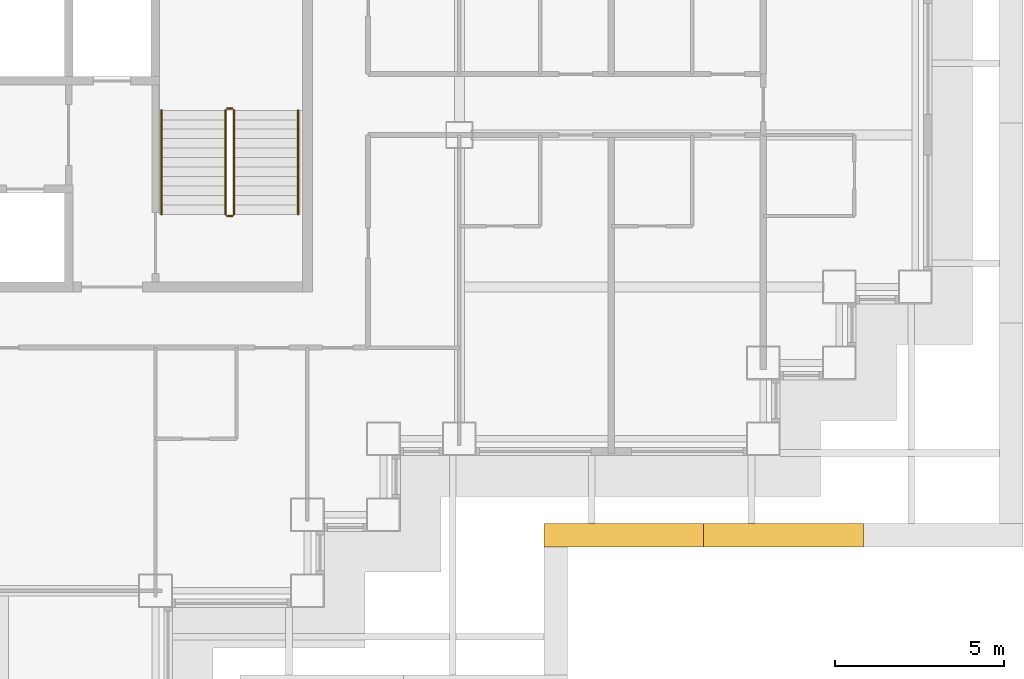
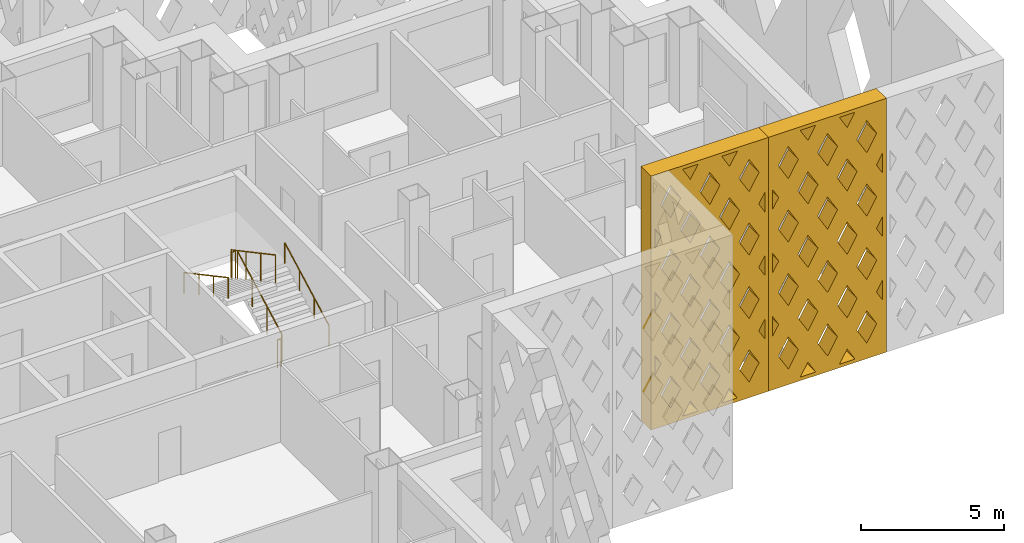
# One storey, part 16 of 19: 6 railings, 2 shading devices.
"""IFC4 building model written with IfcOpenShell, lengths in metres."""

from ifc_helpers import new_model, si_unit, direction, frame, origin, origin_2d, place, context, subcontext, project, spatial, polyline, circle, outline, extrude, material, type_object, element, save


model = new_model("IFC4")

# Units and contexts
model_context = context("Model", 3, precision=1e-05, world=origin(), true_north=direction((0.0, 1.0)))
body_context = subcontext(model_context, "Body", "Model", "MODEL_VIEW")
ifc_project = project(units=[si_unit("LENGTHUNIT", "METRE"), si_unit("AREAUNIT", "SQUARE_METRE"), si_unit("VOLUMEUNIT", "CUBIC_METRE"), si_unit("PLANEANGLEUNIT", "RADIAN"), si_unit("MASSUNIT", "GRAM", prefix="KILO")], contexts=[model_context])

# Site, building, storey
site_placement = place(None, origin())
site = spatial("IfcSite", under=ifc_project, at=site_placement, CompositionType="ELEMENT")
building_placement = place(site_placement, origin())
building = spatial("IfcBuilding", under=site, at=building_placement, Name="Caravel Reach Hotel and Residences", CompositionType="ELEMENT")
storey_placement = place(building_placement, frame((0.0, 0.0, 74.39990234375)))
storey = spatial("IfcBuildingStorey", under=building, at=storey_placement, Name="L17", CompositionType="ELEMENT", Elevation=74.39990234375)

# Shading devices
ifc_material_1 = material(Name="Black powder-coated aluminium", Category="aluminium")
shading_device_type = type_object("IfcShadingDeviceType", Name="Diamond lattice screen panel 4733 x 10800", PredefinedType="USERDEFINED", material=ifc_material_1)
shading_device_1_placement = place(storey_placement, frame((52.0, 15.5, 0.0), z_axis=(0.0, -1.0, 0.0), x_axis=(1.0, 0.0, 0.0)))
element("IfcShadingDevice", 1, at=shading_device_1_placement, inside=storey, type_object=shading_device_type, Name="Lattice screen L17-L19 6.1", ObjectType="SCREEN", PredefinedType="USERDEFINED", context=body_context, shape_type="SweptSolid", body=[
    extrude(outline(polyline([(0.0, 0.0), (4.7333984375, 0.0), (4.7333984375, 10.800048828125), (0.0, 10.800048828125), (0.0, 0.0)]), holes=[polyline([(0.4013671875, 2.699951171875), (0.14990234375, 3.130126953125), (0.14990234375, 2.269775390625), (0.4013671875, 2.699951171875)]), polyline([(0.4013671875, 5.39990234375), (0.14990234375, 5.830078125), (0.14990234375, 4.969970703125), (0.4013671875, 5.39990234375)]), polyline([(0.4013671875, 8.10009765625), (0.14990234375, 8.530029296875), (0.14990234375, 7.669921875), (0.4013671875, 8.10009765625)]), polyline([(0.788818359375, 2.036865234375), (0.387451171875, 1.35009765625), (0.788818359375, 0.6630859375), (1.190185546875, 1.35009765625), (0.788818359375, 2.036865234375)]), polyline([(0.788818359375, 4.73681640625), (0.387451171875, 4.050048828125), (0.788818359375, 3.36328125), (1.190185546875, 4.050048828125), (0.788818359375, 4.73681640625)]), polyline([(0.788818359375, 7.436767578125), (0.387451171875, 6.75), (0.788818359375, 6.063232421875), (1.190185546875, 6.75), (0.788818359375, 7.436767578125)]), polyline([(0.788818359375, 10.13671875), (0.387451171875, 9.449951171875), (0.788818359375, 8.76318359375), (1.190185546875, 9.449951171875), (0.788818359375, 10.13671875)]), polyline([(1.577880859375, 0.686767578125), (1.26416015625, 0.14990234375), (1.8916015625, 0.14990234375), (1.577880859375, 0.686767578125)]), polyline([(1.577880859375, 3.38671875), (1.176513671875, 2.699951171875), (1.577880859375, 2.01318359375), (1.979248046875, 2.699951171875), (1.577880859375, 3.38671875)]), polyline([(1.577880859375, 6.0869140625), (1.176513671875, 5.39990234375), (1.577880859375, 4.713134765625), (1.979248046875, 5.39990234375), (1.577880859375, 6.0869140625)]), polyline([(1.577880859375, 8.786865234375), (1.176513671875, 8.10009765625), (1.577880859375, 7.4130859375), (1.979248046875, 8.10009765625), (1.577880859375, 8.786865234375)]), polyline([(1.577880859375, 10.11328125), (1.8916015625, 10.64990234375), (1.26416015625, 10.64990234375), (1.577880859375, 10.11328125)]), polyline([(2.36669921875, 2.036865234375), (1.96533203125, 1.35009765625), (2.36669921875, 0.6630859375), (2.76806640625, 1.35009765625), (2.36669921875, 2.036865234375)]), polyline([(2.36669921875, 4.73681640625), (1.96533203125, 4.050048828125), (2.36669921875, 3.36328125), (2.76806640625, 4.050048828125), (2.36669921875, 4.73681640625)]), polyline([(2.36669921875, 7.436767578125), (1.96533203125, 6.75), (2.36669921875, 6.063232421875), (2.76806640625, 6.75), (2.36669921875, 7.436767578125)]), polyline([(2.36669921875, 10.13671875), (1.96533203125, 9.449951171875), (2.36669921875, 8.76318359375), (2.76806640625, 9.449951171875), (2.36669921875, 10.13671875)]), polyline([(3.155517578125, 0.686767578125), (2.841796875, 0.14990234375), (3.46923828125, 0.14990234375), (3.155517578125, 0.686767578125)]), polyline([(3.155517578125, 3.38671875), (2.754150390625, 2.699951171875), (3.155517578125, 2.01318359375), (3.556884765625, 2.699951171875), (3.155517578125, 3.38671875)]), polyline([(3.155517578125, 6.0869140625), (2.754150390625, 5.39990234375), (3.155517578125, 4.713134765625), (3.556884765625, 5.39990234375), (3.155517578125, 6.0869140625)]), polyline([(3.155517578125, 8.786865234375), (2.754150390625, 8.10009765625), (3.155517578125, 7.4130859375), (3.556884765625, 8.10009765625), (3.155517578125, 8.786865234375)]), polyline([(3.155517578125, 10.11328125), (3.46923828125, 10.64990234375), (2.841796875, 10.64990234375), (3.155517578125, 10.11328125)]), polyline([(3.9443359375, 2.036865234375), (3.54296875, 1.35009765625), (3.9443359375, 0.6630859375), (4.345703125, 1.35009765625), (3.9443359375, 2.036865234375)]), polyline([(3.9443359375, 4.73681640625), (3.54296875, 4.050048828125), (3.9443359375, 3.36328125), (4.345703125, 4.050048828125), (3.9443359375, 4.73681640625)]), polyline([(3.9443359375, 7.436767578125), (3.54296875, 6.75), (3.9443359375, 6.063232421875), (4.345703125, 6.75), (3.9443359375, 7.436767578125)]), polyline([(3.9443359375, 10.13671875), (3.54296875, 9.449951171875), (3.9443359375, 8.76318359375), (4.345703125, 9.449951171875), (3.9443359375, 10.13671875)]), polyline([(4.33203125, 2.699951171875), (4.583251953125, 2.269775390625), (4.583251953125, 3.130126953125), (4.33203125, 2.699951171875)]), polyline([(4.33203125, 5.39990234375), (4.583251953125, 4.969970703125), (4.583251953125, 5.830078125), (4.33203125, 5.39990234375)]), polyline([(4.33203125, 8.10009765625), (4.583251953125, 7.669921875), (4.583251953125, 8.530029296875), (4.33203125, 8.10009765625)])]), origin(), (0.0, 0.0, 1.0), 0.699951171875),
])
shading_device_2_placement = place(storey_placement, frame((56.7333984375, 15.5, 0.0), z_axis=(0.0, -1.0, 0.0), x_axis=(1.0, 0.0, 0.0)))
element("IfcShadingDevice", 2, at=shading_device_2_placement, inside=storey, type_object=shading_device_type, Name="Lattice screen L17-L19 6.2", ObjectType="SCREEN", PredefinedType="USERDEFINED", context=body_context, shape_type="SweptSolid", body=[
    extrude(outline(polyline([(0.0, 0.0), (4.7333984375, 0.0), (4.7333984375, 10.800048828125), (0.0, 10.800048828125), (0.0, 0.0)]), holes=[polyline([(0.4013671875, 2.699951171875), (0.14990234375, 3.130126953125), (0.14990234375, 2.269775390625), (0.4013671875, 2.699951171875)]), polyline([(0.4013671875, 5.39990234375), (0.14990234375, 5.830078125), (0.14990234375, 4.969970703125), (0.4013671875, 5.39990234375)]), polyline([(0.4013671875, 8.10009765625), (0.14990234375, 8.530029296875), (0.14990234375, 7.669921875), (0.4013671875, 8.10009765625)]), polyline([(0.788818359375, 2.036865234375), (0.387451171875, 1.35009765625), (0.788818359375, 0.6630859375), (1.190185546875, 1.35009765625), (0.788818359375, 2.036865234375)]), polyline([(0.788818359375, 4.73681640625), (0.387451171875, 4.050048828125), (0.788818359375, 3.36328125), (1.190185546875, 4.050048828125), (0.788818359375, 4.73681640625)]), polyline([(0.788818359375, 7.436767578125), (0.387451171875, 6.75), (0.788818359375, 6.063232421875), (1.190185546875, 6.75), (0.788818359375, 7.436767578125)]), polyline([(0.788818359375, 10.13671875), (0.387451171875, 9.449951171875), (0.788818359375, 8.76318359375), (1.190185546875, 9.449951171875), (0.788818359375, 10.13671875)]), polyline([(1.577880859375, 0.686767578125), (1.26416015625, 0.14990234375), (1.8916015625, 0.14990234375), (1.577880859375, 0.686767578125)]), polyline([(1.577880859375, 3.38671875), (1.176513671875, 2.699951171875), (1.577880859375, 2.01318359375), (1.979248046875, 2.699951171875), (1.577880859375, 3.38671875)]), polyline([(1.577880859375, 6.0869140625), (1.176513671875, 5.39990234375), (1.577880859375, 4.713134765625), (1.979248046875, 5.39990234375), (1.577880859375, 6.0869140625)]), polyline([(1.577880859375, 8.786865234375), (1.176513671875, 8.10009765625), (1.577880859375, 7.4130859375), (1.979248046875, 8.10009765625), (1.577880859375, 8.786865234375)]), polyline([(1.577880859375, 10.11328125), (1.8916015625, 10.64990234375), (1.26416015625, 10.64990234375), (1.577880859375, 10.11328125)]), polyline([(2.36669921875, 2.036865234375), (1.96533203125, 1.35009765625), (2.36669921875, 0.6630859375), (2.76806640625, 1.35009765625), (2.36669921875, 2.036865234375)]), polyline([(2.36669921875, 4.73681640625), (1.96533203125, 4.050048828125), (2.36669921875, 3.36328125), (2.76806640625, 4.050048828125), (2.36669921875, 4.73681640625)]), polyline([(2.36669921875, 7.436767578125), (1.96533203125, 6.75), (2.36669921875, 6.063232421875), (2.76806640625, 6.75), (2.36669921875, 7.436767578125)]), polyline([(2.36669921875, 10.13671875), (1.96533203125, 9.449951171875), (2.36669921875, 8.76318359375), (2.76806640625, 9.449951171875), (2.36669921875, 10.13671875)]), polyline([(3.155517578125, 0.686767578125), (2.841796875, 0.14990234375), (3.46923828125, 0.14990234375), (3.155517578125, 0.686767578125)]), polyline([(3.155517578125, 3.38671875), (2.754150390625, 2.699951171875), (3.155517578125, 2.01318359375), (3.556884765625, 2.699951171875), (3.155517578125, 3.38671875)]), polyline([(3.155517578125, 6.0869140625), (2.754150390625, 5.39990234375), (3.155517578125, 4.713134765625), (3.556884765625, 5.39990234375), (3.155517578125, 6.0869140625)]), polyline([(3.155517578125, 8.786865234375), (2.754150390625, 8.10009765625), (3.155517578125, 7.4130859375), (3.556884765625, 8.10009765625), (3.155517578125, 8.786865234375)]), polyline([(3.155517578125, 10.11328125), (3.46923828125, 10.64990234375), (2.841796875, 10.64990234375), (3.155517578125, 10.11328125)]), polyline([(3.9443359375, 2.036865234375), (3.54296875, 1.35009765625), (3.9443359375, 0.6630859375), (4.345703125, 1.35009765625), (3.9443359375, 2.036865234375)]), polyline([(3.9443359375, 4.73681640625), (3.54296875, 4.050048828125), (3.9443359375, 3.36328125), (4.345703125, 4.050048828125), (3.9443359375, 4.73681640625)]), polyline([(3.9443359375, 7.436767578125), (3.54296875, 6.75), (3.9443359375, 6.063232421875), (4.345703125, 6.75), (3.9443359375, 7.436767578125)]), polyline([(3.9443359375, 10.13671875), (3.54296875, 9.449951171875), (3.9443359375, 8.76318359375), (4.345703125, 9.449951171875), (3.9443359375, 10.13671875)]), polyline([(4.33203125, 2.699951171875), (4.583251953125, 2.269775390625), (4.583251953125, 3.130126953125), (4.33203125, 2.699951171875)]), polyline([(4.33203125, 5.39990234375), (4.583251953125, 4.969970703125), (4.583251953125, 5.830078125), (4.33203125, 5.39990234375)]), polyline([(4.33203125, 8.10009765625), (4.583251953125, 7.669921875), (4.583251953125, 8.530029296875), (4.33203125, 8.10009765625)])]), origin(), (0.0, 0.0, 1.0), 0.699951171875),
])

# Railings
ifc_material_2 = material(Name="Steel balustrade with glass infill", Category="steel")
railing_type_1 = type_object("IfcRailingType", Name="Guard 1200", PredefinedType="GUARDRAIL", material=ifc_material_2)
railing_1_placement = place(storey_placement, frame((42.824951171875, 24.64990234375, 0.150146484375)))
element("IfcRailing", 3, at=railing_1_placement, inside=storey, type_object=railing_type_1, Name="L17 ST-B stair guard 1", PredefinedType="GUARDRAIL", context=body_context, shape_type="SweptSolid", body=[
    extrude(circle(Radius=0.02392578125, at=origin_2d()), frame((0.0, 0.0, 1.17578125), z_axis=(0.0, 0.881496589024, 0.472190389079), x_axis=(-1.0, 0.0, 0.0)), (0.0, 0.0, 1.0), 3.494140625),
    extrude(circle(Radius=0.02099609375, at=origin_2d()), origin(), (0.0, 0.0, 1.0), 1.15185546875),
    extrude(circle(Radius=0.02099609375, at=origin_2d()), frame((0.0, 1.026611328125, 0.550048828125)), (0.0, 0.0, 1.0), 1.15185546875),
    extrude(circle(Radius=0.02099609375, at=origin_2d()), frame((0.0, 2.053466796875, 1.099853515625)), (0.0, 0.0, 1.0), 1.15185546875),
    extrude(circle(Radius=0.02099609375, at=origin_2d()), frame((0.0, 3.080078125, 1.64990234375)), (0.0, 0.0, 1.0), 1.15185546875),
])
railing_2_placement = place(storey_placement, frame((42.77490234375, 27.780029296875, 1.800048828125)))
element("IfcRailing", 4, at=railing_2_placement, inside=storey, type_object=railing_type_1, Name="L17 ST-B stair guard 2", PredefinedType="GUARDRAIL", context=body_context, shape_type="SweptSolid", body=[
    extrude(circle(Radius=0.02392578125, at=origin_2d()), frame((0.0, 0.0, 1.17578125), z_axis=(-1.0, 0.0, 0.0), x_axis=(0.0, -1.0, 0.0)), (0.0, 0.0, 1.0), 0.14990234375),
    extrude(circle(Radius=0.02099609375, at=origin_2d()), origin(), (0.0, 0.0, 1.0), 1.15185546875),
    extrude(circle(Radius=0.02099609375, at=origin_2d()), frame((-0.14990234375, 0.0, 0.0)), (0.0, 0.0, 1.0), 1.15185546875),
])
railing_3_placement = place(storey_placement, frame((42.574951171875, 27.72998046875, 1.9501953125)))
element("IfcRailing", 5, at=railing_3_placement, inside=storey, type_object=railing_type_1, Name="L17 ST-B stair guard 3", PredefinedType="GUARDRAIL", context=body_context, shape_type="SweptSolid", body=[
    extrude(circle(Radius=0.02392578125, at=origin_2d()), frame((0.0, 0.0, 1.17578125), z_axis=(0.0, -0.881496589024, 0.472190389079), x_axis=(1.0, 0.0, 0.0)), (0.0, 0.0, 1.0), 3.494140625),
    extrude(circle(Radius=0.02099609375, at=origin_2d()), origin(), (0.0, 0.0, 1.0), 1.15185546875),
    extrude(circle(Radius=0.02099609375, at=origin_2d()), frame((0.0, -1.026611328125, 0.550048828125)), (0.0, 0.0, 1.0), 1.15185546875),
    extrude(circle(Radius=0.02099609375, at=origin_2d()), frame((0.0, -2.053466796875, 1.099853515625)), (0.0, 0.0, 1.0), 1.15185546875),
    extrude(circle(Radius=0.02099609375, at=origin_2d()), frame((0.0, -3.080078125, 1.64990234375)), (0.0, 0.0, 1.0), 1.15185546875),
])
railing_4_placement = place(storey_placement, frame((42.77490234375, 24.60009765625, 0.0)))
element("IfcRailing", 6, at=railing_4_placement, inside=storey, type_object=railing_type_1, Name="L17 ST-B stair guard 4", PredefinedType="GUARDRAIL", context=body_context, shape_type="SweptSolid", body=[
    extrude(circle(Radius=0.02392578125, at=origin_2d()), frame((0.0, 0.0, 1.17578125), z_axis=(-1.0, 0.0, 0.0), x_axis=(0.0, -1.0, 0.0)), (0.0, 0.0, 1.0), 0.14990234375),
    extrude(circle(Radius=0.02099609375, at=origin_2d()), origin(), (0.0, 0.0, 1.0), 1.15185546875),
    extrude(circle(Radius=0.02099609375, at=origin_2d()), frame((-0.14990234375, 0.0, 0.0)), (0.0, 0.0, 1.0), 1.15185546875),
])
ifc_material_3 = material(Name="Stainless steel handrail", Category="steel")
railing_type_2 = type_object("IfcRailingType", Name="Handrail 900", PredefinedType="HANDRAIL", material=ifc_material_3)
railing_5_placement = place(storey_placement, frame((44.72509765625, 24.64990234375, 0.150146484375)))
element("IfcRailing", 7, at=railing_5_placement, inside=storey, type_object=railing_type_2, Name="L17 ST-B stair handrail 1", PredefinedType="HANDRAIL", context=body_context, shape_type="SweptSolid", body=[
    extrude(circle(Radius=0.02392578125, at=origin_2d()), frame((0.0, 0.0, 0.8759765625), z_axis=(0.0, 0.881496589024, 0.472190389079), x_axis=(-1.0, 0.0, 0.0)), (0.0, 0.0, 1.0), 3.494140625),
    extrude(circle(Radius=0.02099609375, at=origin_2d()), origin(), (0.0, 0.0, 1.0), 0.851806640625),
    extrude(circle(Radius=0.02099609375, at=origin_2d()), frame((0.0, 1.026611328125, 0.550048828125)), (0.0, 0.0, 1.0), 0.851806640625),
    extrude(circle(Radius=0.02099609375, at=origin_2d()), frame((0.0, 2.053466796875, 1.099853515625)), (0.0, 0.0, 1.0), 0.851806640625),
    extrude(circle(Radius=0.02099609375, at=origin_2d()), frame((0.0, 3.080078125, 1.64990234375)), (0.0, 0.0, 1.0), 0.851806640625),
])
railing_6_placement = place(storey_placement, frame((40.675048828125, 27.72998046875, 1.9501953125)))
element("IfcRailing", 8, at=railing_6_placement, inside=storey, type_object=railing_type_2, Name="L17 ST-B stair handrail 2", PredefinedType="HANDRAIL", context=body_context, shape_type="SweptSolid", body=[
    extrude(circle(Radius=0.02392578125, at=origin_2d()), frame((0.0, 0.0, 0.8759765625), z_axis=(0.0, -0.881496589024, 0.472190389079), x_axis=(1.0, 0.0, 0.0)), (0.0, 0.0, 1.0), 3.494140625),
    extrude(circle(Radius=0.02099609375, at=origin_2d()), origin(), (0.0, 0.0, 1.0), 0.851806640625),
    extrude(circle(Radius=0.02099609375, at=origin_2d()), frame((0.0, -1.026611328125, 0.550048828125)), (0.0, 0.0, 1.0), 0.851806640625),
    extrude(circle(Radius=0.02099609375, at=origin_2d()), frame((0.0, -2.053466796875, 1.099853515625)), (0.0, 0.0, 1.0), 0.851806640625),
    extrude(circle(Radius=0.02099609375, at=origin_2d()), frame((0.0, -3.080078125, 1.64990234375)), (0.0, 0.0, 1.0), 0.851806640625),
])

save(model, "model.ifc")
